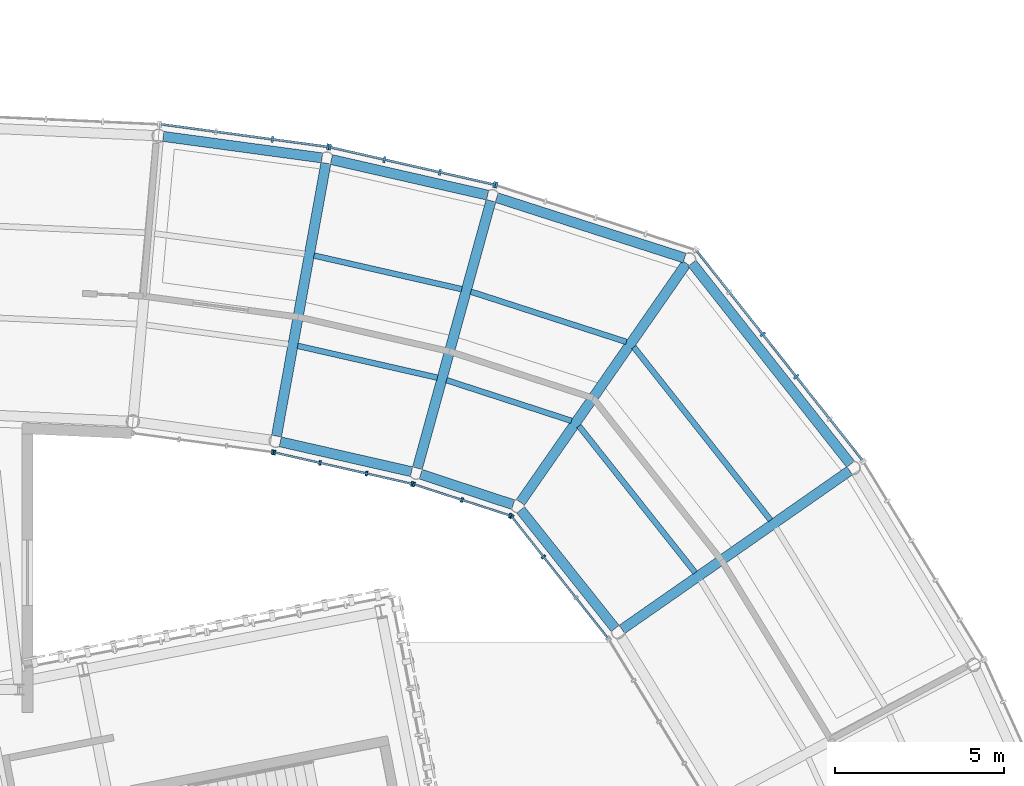
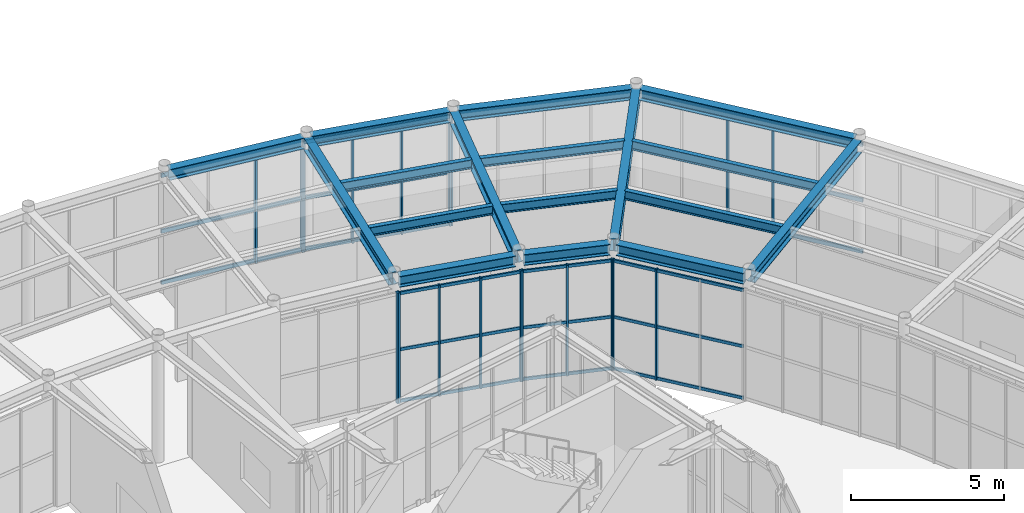
# One storey, part 48 of 97: 37 members, 17 beams, 8 elements without a shape of their own.
"""IFC4 building model written with IfcOpenShell, lengths in metres."""

from ifc_helpers import new_model, si_unit, direction, frame, origin, origin_2d, place, context, subcontext, project, spatial, rectangle, i_section, extrude, material, material_profile, profile_set, type_object, element, aggregate, save


model = new_model("IFC4")

# Units and contexts
model_context = context("Model", 3, precision=1e-05, world=origin(), true_north=direction((0.0, 1.0)))
body_context = subcontext(model_context, "Body", "Model", "MODEL_VIEW")
ifc_project = project(units=[si_unit("LENGTHUNIT", "METRE"), si_unit("AREAUNIT", "SQUARE_METRE"), si_unit("VOLUMEUNIT", "CUBIC_METRE"), si_unit("PLANEANGLEUNIT", "RADIAN"), si_unit("MASSUNIT", "GRAM", prefix="KILO")], contexts=[model_context])

# Site, building, storey
site_placement = place(None, origin())
site = spatial("IfcSite", under=ifc_project, at=site_placement, CompositionType="ELEMENT")
building_placement = place(site_placement, origin())
building = spatial("IfcBuilding", under=site, at=building_placement, Name="Varnklinge Art Gallery", CompositionType="ELEMENT")
storey_placement = place(building_placement, origin())
storey = spatial("IfcBuildingStorey", under=building, at=storey_placement, Name="L00", CompositionType="ELEMENT", Elevation=0.0)

# Beams
ifc_material_1 = material(Name="Steel S355", Category="steel")
ifc_material_profile_1 = material_profile(ifc_material_1, i_section(OverallWidth=0.300048828125, OverallDepth=0.489990234375, WebThickness=0.011962890625, FlangeThickness=0.02294921875, FilletRadius=0.027099609375, at=origin_2d()), Name="HEA 500")
ifc_profile_set_1 = profile_set([ifc_material_profile_1], Name="Steel S355")
beam_type_1 = type_object("IfcBeamType", Name="BM-07", PredefinedType="BEAM", material=ifc_profile_set_1)
beam_1_placement = place(storey_placement, frame((101.03515625, 87.0947265625, 4.635009765625), z_axis=(-0.820324852304, -0.571897837635, 0.0), x_axis=(0.571897837635, -0.820324852304, 0.0)))
element("IfcBeam", 1, at=beam_1_placement, inside=storey, type_object=beam_type_1, Name="L00 BM-07 BM-V2-L01-R12", PredefinedType="BEAM", context=body_context, shape_type="SweptSolid", body=[
    extrude(i_section(OverallWidth=0.300048828125, OverallDepth=0.489990234375, WebThickness=0.011962890625, FlangeThickness=0.02294921875, FilletRadius=0.027099609375, at=origin_2d()), origin(), (0.0, 0.0, 1.0), 8.2373046875),
])
beam_2_placement = place(storey_placement, frame((96.19091796875, 93.244873046875, 4.635009765625), z_axis=(-0.570588727281, -0.821235961402, 0.0), x_axis=(0.821235961402, -0.570588727281, 0.0)))
element("IfcBeam", 2, at=beam_2_placement, inside=storey, type_object=beam_type_1, Name="L00 BM-07 BM-V2-L01-R13", PredefinedType="BEAM", context=body_context, shape_type="SweptSolid", body=[
    extrude(i_section(OverallWidth=0.300048828125, OverallDepth=0.489990234375, WebThickness=0.011962890625, FlangeThickness=0.02294921875, FilletRadius=0.027099609375, at=origin_2d()), origin(), (0.0, 0.0, 1.0), 8.6318359375),
])
for number, where, z_axis, x_axis, name in (
    (3, (90.392578125, 95.102294921875, 4.635009765625), (-0.26537851046, -0.96414430776, 0.0), (0.96414430776, -0.26537851046, 0.0), "L00 BM-07 BM-V2-L01-R14"),
    (4, (85.495361328125, 96.21728515625, 4.635009765625), (-0.178151776958, -0.984003020507, 0.0), (0.984003020507, -0.178151776958, 0.0), "L00 BM-07 BM-V2-L01-R15"),
):
    element("IfcBeam", number, at=place(storey_placement, frame(where, z_axis=z_axis, x_axis=x_axis)), inside=storey, type_object=beam_type_1, Name=name, PredefinedType="BEAM", context=body_context, shape_type="SweptSolid", body=[
        extrude(i_section(OverallWidth=0.300048828125, OverallDepth=0.489990234375, WebThickness=0.011962890625, FlangeThickness=0.02294921875, FilletRadius=0.027099609375, at=origin_2d()), origin(), (0.0, 0.0, 1.0), 8.229248046875),
    ])
ifc_material_2 = material(Name="Steel S355", Category="steel")
ifc_material_profile_2 = material_profile(ifc_material_2, i_section(OverallWidth=0.169921875, OverallDepth=0.360107421875, WebThickness=0.008056640625, FlangeThickness=0.0126953125, FilletRadius=0.01806640625, at=origin_2d()), Name="IPE 360")
ifc_profile_set_2 = profile_set([ifc_material_profile_2], Name="Steel S355")
beam_type_2 = type_object("IfcBeamType", Name="JST-06", PredefinedType="JOIST", material=ifc_profile_set_2)
beam_3_placement = place(storey_placement, frame((98.6875, 85.62841796875, 4.699951171875), z_axis=(-0.620207823033, 0.784437541331, 0.0), x_axis=(-0.784437541331, -0.620207823033, 0.0)))
element("IfcBeam", 5, at=beam_3_placement, inside=storey, type_object=beam_type_2, Name="L00 JST-06 JST-V2-L01-12-1", PredefinedType="JOIST", context=body_context, shape_type="SweptSolid", body=[
    extrude(i_section(OverallWidth=0.169921875, OverallDepth=0.360107421875, WebThickness=0.008056640625, FlangeThickness=0.0126953125, FilletRadius=0.01806640625, at=origin_2d()), origin(), (0.0, 0.0, 1.0), 6.5439453125),
])
beam_4_placement = place(storey_placement, frame((96.45166015625, 84.069580078125, 4.699951171875), z_axis=(-0.621380748712, 0.783508752427, 0.0), x_axis=(-0.783508752427, -0.621380748712, 0.0)))
element("IfcBeam", 6, at=beam_4_placement, inside=storey, type_object=beam_type_2, Name="L00 JST-06 JST-V2-L01-12-2", PredefinedType="JOIST", context=body_context, shape_type="SweptSolid", body=[
    extrude(i_section(OverallWidth=0.169921875, OverallDepth=0.360107421875, WebThickness=0.008056640625, FlangeThickness=0.0126953125, FilletRadius=0.01806640625, at=origin_2d()), origin(), (0.0, 0.0, 1.0), 5.552001953125),
])
beam_5_placement = place(storey_placement, frame((94.40869140625, 90.914306640625, 4.699951171875), z_axis=(-0.951573262441, 0.307422065259, 0.0), x_axis=(-0.307422065259, -0.951573262441, 0.0)))
element("IfcBeam", 7, at=beam_5_placement, inside=storey, type_object=beam_type_2, Name="L00 JST-06 JST-V2-L01-13-1", PredefinedType="JOIST", context=body_context, shape_type="SweptSolid", body=[
    extrude(i_section(OverallWidth=0.169921875, OverallDepth=0.360107421875, WebThickness=0.008056640625, FlangeThickness=0.0126953125, FilletRadius=0.01806640625, at=origin_2d()), origin(), (0.0, 0.0, 1.0), 4.848388671875),
])
beam_6_placement = place(storey_placement, frame((92.781494140625, 88.57275390625, 4.699951171875), z_axis=(-0.950949393045, 0.309346491603, 0.0), x_axis=(-0.309346491603, -0.950949393045, 0.0)))
element("IfcBeam", 8, at=beam_6_placement, inside=storey, type_object=beam_type_2, Name="L00 JST-06 JST-V2-L01-13-2", PredefinedType="JOIST", context=body_context, shape_type="SweptSolid", body=[
    extrude(i_section(OverallWidth=0.169921875, OverallDepth=0.360107421875, WebThickness=0.008056640625, FlangeThickness=0.0126953125, FilletRadius=0.01806640625, at=origin_2d()), origin(), (0.0, 0.0, 1.0), 3.900390625),
])
beam_7_placement = place(storey_placement, frame((89.525390625, 92.47900390625, 4.699951171875), z_axis=(-0.975052249235, 0.22197547446, 0.0), x_axis=(-0.22197547446, -0.975052249235, 0.0)))
element("IfcBeam", 9, at=beam_7_placement, inside=storey, type_object=beam_type_2, Name="L00 JST-06 JST-V2-L01-14-1", PredefinedType="JOIST", context=body_context, shape_type="SweptSolid", body=[
    extrude(i_section(OverallWidth=0.169921875, OverallDepth=0.360107421875, WebThickness=0.008056640625, FlangeThickness=0.0126953125, FilletRadius=0.01806640625, at=origin_2d()), origin(), (0.0, 0.0, 1.0), 4.49609375),
])
beam_8_placement = place(storey_placement, frame((88.802734375, 89.853759765625, 4.699951171875), z_axis=(-0.975058358995, 0.221948634943, 0.0), x_axis=(-0.221948634943, -0.975058358995, 0.0)))
element("IfcBeam", 10, at=beam_8_placement, inside=storey, type_object=beam_type_2, Name="L00 JST-06 JST-V2-L01-14-2", PredefinedType="JOIST", context=body_context, shape_type="SweptSolid", body=[
    extrude(i_section(OverallWidth=0.169921875, OverallDepth=0.360107421875, WebThickness=0.008056640625, FlangeThickness=0.0126953125, FilletRadius=0.01806640625, at=origin_2d()), origin(), (0.0, 0.0, 1.0), 4.25244140625),
])

# Curtain wall, members
ifc_material_3 = material(Name="Anodised Aluminium", Category="aluminium")
curtain_wall_type_1 = type_object("IfcCurtainWallType", Name="CW-R01", PredefinedType="USERDEFINED", material=ifc_material_3)
curtain_wall_1_placement = place(storey_placement, origin())
curtain_wall_1 = element("IfcCurtainWall", 11, at=curtain_wall_1_placement, inside=storey, type_object=curtain_wall_type_1, Name="L00 Curtain Wall CW-V2O-L00-12", ObjectType="UNITISED CURTAIN WALL", PredefinedType="USERDEFINED")
ifc_material_4 = material(Name="Anodised Aluminium", Category="aluminium")
ifc_material_profile_3 = material_profile(ifc_material_4, rectangle(XDim=0.06494140625, YDim=0.179931640625, at=origin_2d()), Name="ALU 65x180")
ifc_profile_set_3 = profile_set([ifc_material_profile_3], Name="Anodised Aluminium")
member_type_1 = type_object("IfcMemberType", Name="MUL-01", PredefinedType="MULLION", material=ifc_profile_set_3)
member_1_placement = place(storey_placement, frame((99.450439453125, 89.8837890625, 0.0), z_axis=(0.0, 0.0, 1.0), x_axis=(-0.620737354217, 0.784018582101, 0.0)))
member_1 = element("IfcMember", 12, at=member_1_placement, type_object=member_type_1, Name="CW-V2O-L00-12 Mullion 3", PredefinedType="MULLION", context=body_context, shape_type="SweptSolid", body=[
    extrude(rectangle(XDim=0.06494140625, YDim=0.179931640625, at=origin_2d()), origin(), (0.0, 0.0, 1.0), 4.429931640625),
])
member_2_placement = place(storey_placement, frame((98.457275390625, 91.13818359375, 0.0), z_axis=(0.0, 0.0, 1.0), x_axis=(-0.620737354217, 0.784018582101, 0.0)))
member_2 = element("IfcMember", 13, at=member_2_placement, type_object=member_type_1, Name="CW-V2O-L00-12 Mullion 4", PredefinedType="MULLION", context=body_context, shape_type="SweptSolid", body=[
    extrude(rectangle(XDim=0.06494140625, YDim=0.179931640625, at=origin_2d()), origin(), (0.0, 0.0, 1.0), 4.429931640625),
])

# Curtain wall, member
curtain_wall_2_placement = place(storey_placement, origin())
curtain_wall_2 = element("IfcCurtainWall", 14, at=curtain_wall_2_placement, inside=storey, type_object=curtain_wall_type_1, Name="L00 Curtain Wall CW-V2O-L00-13", ObjectType="UNITISED CURTAIN WALL", PredefinedType="USERDEFINED")
member_3_placement = place(storey_placement, frame((90.553466796875, 95.564697265625, 0.0), z_axis=(0.0, 0.0, 1.0), x_axis=(-0.951272019071, 0.30835295642, 0.0)))
member_3 = element("IfcMember", 15, at=member_3_placement, type_object=member_type_1, Name="CW-V2O-L00-13 Mullion 5", PredefinedType="MULLION", context=body_context, shape_type="SweptSolid", body=[
    extrude(rectangle(XDim=0.06494140625, YDim=0.179931640625, at=origin_2d()), origin(), (0.0, 0.0, 1.0), 4.429931640625),
])
aggregate(curtain_wall_2, [member_3])

# Curtain wall, members
ifc_material_5 = material(Name="Anodised Aluminium", Category="aluminium")
curtain_wall_type_2 = type_object("IfcCurtainWallType", Name="CW-R03", PredefinedType="USERDEFINED", material=ifc_material_5)
curtain_wall_3_placement = place(storey_placement, origin())
curtain_wall_3 = element("IfcCurtainWall", 16, at=curtain_wall_3_placement, inside=storey, type_object=curtain_wall_type_2, Name="L00 Curtain Wall CW-V2O-L00-14", ObjectType="UNITISED CURTAIN WALL", PredefinedType="USERDEFINED")
member_4_placement = place(storey_placement, frame((90.490966796875, 95.58203125, 0.0), z_axis=(0.0, 0.0, 1.0), x_axis=(-0.975071959883, 0.221888875454, 0.0)))
member_4 = element("IfcMember", 17, at=member_4_placement, type_object=member_type_1, Name="CW-V2O-L00-14 Mullion 1", PredefinedType="MULLION", context=body_context, shape_type="SweptSolid", body=[
    extrude(rectangle(XDim=0.06494140625, YDim=0.179931640625, at=origin_2d()), origin(), (0.0, 0.0, 1.0), 4.429931640625),
])
member_5_placement = place(storey_placement, frame((88.8759765625, 95.94970703125, 0.0), z_axis=(0.0, 0.0, 1.0), x_axis=(-0.975071959883, 0.221888875454, 0.0)))
member_5 = element("IfcMember", 18, at=member_5_placement, type_object=member_type_1, Name="CW-V2O-L00-14 Mullion 2", PredefinedType="MULLION", context=body_context, shape_type="SweptSolid", body=[
    extrude(rectangle(XDim=0.06494140625, YDim=0.179931640625, at=origin_2d()), origin(), (0.0, 0.0, 1.0), 4.429931640625),
])
member_6_placement = place(storey_placement, frame((87.229248046875, 96.324462890625, 0.0), z_axis=(0.0, 0.0, 1.0), x_axis=(-0.975071959883, 0.221888875454, 0.0)))
member_6 = element("IfcMember", 19, at=member_6_placement, type_object=member_type_1, Name="CW-V2O-L00-14 Mullion 3", PredefinedType="MULLION", context=body_context, shape_type="SweptSolid", body=[
    extrude(rectangle(XDim=0.06494140625, YDim=0.179931640625, at=origin_2d()), origin(), (0.0, 0.0, 1.0), 4.429931640625),
])
member_7_placement = place(storey_placement, frame((85.6142578125, 96.692138671875, 0.0), z_axis=(0.0, 0.0, 1.0), x_axis=(-0.975071959883, 0.221888875454, 0.0)))
member_7 = element("IfcMember", 20, at=member_7_placement, type_object=member_type_1, Name="CW-V2O-L00-14 Mullion 4", PredefinedType="MULLION", context=body_context, shape_type="SweptSolid", body=[
    extrude(rectangle(XDim=0.06494140625, YDim=0.179931640625, at=origin_2d()), origin(), (0.0, 0.0, 1.0), 4.429931640625),
])

curtain_wall_4_placement = place(storey_placement, origin())
curtain_wall_4 = element("IfcCurtainWall", 21, at=curtain_wall_4_placement, inside=storey, type_object=curtain_wall_type_2, Name="L00 Curtain Wall CW-V2O-L00-15", ObjectType="UNITISED CURTAIN WALL", PredefinedType="USERDEFINED")
member_8_placement = place(storey_placement, frame((85.55029296875, 96.703857421875, 0.0), z_axis=(0.0, 0.0, 1.0), x_axis=(-0.990983199715, 0.133986185418, 0.0)))
member_8 = element("IfcMember", 22, at=member_8_placement, type_object=member_type_1, Name="CW-V2O-L00-15 Mullion 1", PredefinedType="MULLION", context=body_context, shape_type="SweptSolid", body=[
    extrude(rectangle(XDim=0.06494140625, YDim=0.179931640625, at=origin_2d()), origin(), (0.0, 0.0, 1.0), 4.429931640625),
])
member_9_placement = place(storey_placement, frame((83.908935546875, 96.925537109375, 0.0), z_axis=(0.0, 0.0, 1.0), x_axis=(-0.990983199715, 0.133986185418, 0.0)))
member_9 = element("IfcMember", 23, at=member_9_placement, type_object=member_type_1, Name="CW-V2O-L00-15 Mullion 2", PredefinedType="MULLION", context=body_context, shape_type="SweptSolid", body=[
    extrude(rectangle(XDim=0.06494140625, YDim=0.179931640625, at=origin_2d()), origin(), (0.0, 0.0, 1.0), 4.429931640625),
])

curtain_wall_5_placement = place(storey_placement, origin())
curtain_wall_5 = element("IfcCurtainWall", 24, at=curtain_wall_5_placement, inside=storey, type_object=curtain_wall_type_2, Name="L00 Curtain Wall CW-V2I-L00-12", ObjectType="UNITISED CURTAIN WALL", PredefinedType="USERDEFINED")
ifc_material_6 = material(Name="Anodised Aluminium", Category="aluminium")
ifc_material_profile_4 = material_profile(ifc_material_6, rectangle(XDim=0.06005859375, YDim=0.139892578125, at=origin_2d()), Name="ALU 60x140")
ifc_profile_set_4 = profile_set([ifc_material_profile_4], Name="Anodised Aluminium")
member_type_2 = type_object("IfcMemberType", Name="MUL-03", PredefinedType="MULLION", material=ifc_profile_set_4)
member_10_placement = place(storey_placement, frame((91.004638671875, 85.72998046875, 0.0), z_axis=(0.0, 0.0, 1.0), x_axis=(0.620737354217, -0.784018582101, 0.0)))
member_10 = element("IfcMember", 25, at=member_10_placement, type_object=member_type_2, Name="CW-V2I-L00-12 Mullion 1", PredefinedType="MULLION", context=body_context, shape_type="SweptSolid", body=[
    extrude(rectangle(XDim=0.06005859375, YDim=0.139892578125, at=origin_2d()), origin(), (0.0, 0.0, 1.0), 4.429931640625),
])
member_11_placement = place(storey_placement, frame((91.94921875, 84.536865234375, 0.0), z_axis=(0.0, 0.0, 1.0), x_axis=(0.620737354217, -0.784018582101, 0.0)))
member_11 = element("IfcMember", 26, at=member_11_placement, type_object=member_type_2, Name="CW-V2I-L00-12 Mullion 2", PredefinedType="MULLION", context=body_context, shape_type="SweptSolid", body=[
    extrude(rectangle(XDim=0.06005859375, YDim=0.139892578125, at=origin_2d()), origin(), (0.0, 0.0, 1.0), 4.429931640625),
])

curtain_wall_6_placement = place(storey_placement, origin())
curtain_wall_6 = element("IfcCurtainWall", 27, at=curtain_wall_6_placement, inside=storey, type_object=curtain_wall_type_2, Name="L00 Curtain Wall CW-V2I-L00-13", ObjectType="UNITISED CURTAIN WALL", PredefinedType="USERDEFINED")
member_12_placement = place(storey_placement, frame((88.107177734375, 86.6865234375, 0.0), z_axis=(0.0, 0.0, 1.0), x_axis=(0.951272019071, -0.30835295642, 0.0)))
member_12 = element("IfcMember", 28, at=member_12_placement, type_object=member_type_2, Name="CW-V2I-L00-13 Mullion 1", PredefinedType="MULLION", context=body_context, shape_type="SweptSolid", body=[
    extrude(rectangle(XDim=0.06005859375, YDim=0.139892578125, at=origin_2d()), origin(), (0.0, 0.0, 1.0), 4.429931640625),
])
member_13_placement = place(storey_placement, frame((89.5322265625, 86.224609375, 0.0), z_axis=(0.0, 0.0, 1.0), x_axis=(0.951272019071, -0.30835295642, 0.0)))
member_13 = element("IfcMember", 29, at=member_13_placement, type_object=member_type_2, Name="CW-V2I-L00-13 Mullion 2", PredefinedType="MULLION", context=body_context, shape_type="SweptSolid", body=[
    extrude(rectangle(XDim=0.06005859375, YDim=0.139892578125, at=origin_2d()), origin(), (0.0, 0.0, 1.0), 4.429931640625),
])
member_14_placement = place(storey_placement, frame((90.95751953125, 85.7626953125, 0.0), z_axis=(0.0, 0.0, 1.0), x_axis=(0.951272019071, -0.30835295642, 0.0)))
member_14 = element("IfcMember", 30, at=member_14_placement, type_object=member_type_2, Name="CW-V2I-L00-13 Mullion 3", PredefinedType="MULLION", context=body_context, shape_type="SweptSolid", body=[
    extrude(rectangle(XDim=0.06005859375, YDim=0.139892578125, at=origin_2d()), origin(), (0.0, 0.0, 1.0), 4.429931640625),
])

curtain_wall_7_placement = place(storey_placement, origin())
curtain_wall_7 = element("IfcCurtainWall", 31, at=curtain_wall_7_placement, inside=storey, type_object=curtain_wall_type_2, Name="L00 Curtain Wall CW-V2I-L00-14", ObjectType="UNITISED CURTAIN WALL", PredefinedType="USERDEFINED")
member_15_placement = place(storey_placement, frame((83.971435546875, 87.630615234375, 0.0), z_axis=(0.0, 0.0, 1.0), x_axis=(0.975071959883, -0.221888875454, 0.0)))
member_15 = element("IfcMember", 32, at=member_15_placement, type_object=member_type_2, Name="CW-V2I-L00-14 Mullion 1", PredefinedType="MULLION", context=body_context, shape_type="SweptSolid", body=[
    extrude(rectangle(XDim=0.06005859375, YDim=0.139892578125, at=origin_2d()), origin(), (0.0, 0.0, 1.0), 4.429931640625),
])
member_16_placement = place(storey_placement, frame((85.32080078125, 87.323486328125, 0.0), z_axis=(0.0, 0.0, 1.0), x_axis=(0.975071959883, -0.221888875454, 0.0)))
member_16 = element("IfcMember", 33, at=member_16_placement, type_object=member_type_2, Name="CW-V2I-L00-14 Mullion 2", PredefinedType="MULLION", context=body_context, shape_type="SweptSolid", body=[
    extrude(rectangle(XDim=0.06005859375, YDim=0.139892578125, at=origin_2d()), origin(), (0.0, 0.0, 1.0), 4.429931640625),
])
member_17_placement = place(storey_placement, frame((86.69970703125, 87.009765625, 0.0), z_axis=(0.0, 0.0, 1.0), x_axis=(0.975071959883, -0.221888875454, 0.0)))
member_17 = element("IfcMember", 34, at=member_17_placement, type_object=member_type_2, Name="CW-V2I-L00-14 Mullion 3", PredefinedType="MULLION", context=body_context, shape_type="SweptSolid", body=[
    extrude(rectangle(XDim=0.06005859375, YDim=0.139892578125, at=origin_2d()), origin(), (0.0, 0.0, 1.0), 4.429931640625),
])
member_18_placement = place(storey_placement, frame((88.04931640625, 86.702392578125, 0.0), z_axis=(0.0, 0.0, 1.0), x_axis=(0.975071959883, -0.221888875454, 0.0)))
member_18 = element("IfcMember", 35, at=member_18_placement, type_object=member_type_2, Name="CW-V2I-L00-14 Mullion 4", PredefinedType="MULLION", context=body_context, shape_type="SweptSolid", body=[
    extrude(rectangle(XDim=0.06005859375, YDim=0.139892578125, at=origin_2d()), origin(), (0.0, 0.0, 1.0), 4.429931640625),
])

# Curtain wall, member
curtain_wall_8_placement = place(storey_placement, origin())
curtain_wall_8 = element("IfcCurtainWall", 36, at=curtain_wall_8_placement, inside=storey, type_object=curtain_wall_type_2, Name="L00 Curtain Wall CW-V2I-L00-15", ObjectType="UNITISED CURTAIN WALL", PredefinedType="USERDEFINED")
member_19_placement = place(storey_placement, frame((83.912353515625, 87.641357421875, 0.0), z_axis=(0.0, 0.0, 1.0), x_axis=(0.990983199715, -0.133986185418, 0.0)))
member_19 = element("IfcMember", 37, at=member_19_placement, type_object=member_type_2, Name="CW-V2I-L00-15 Mullion 4", PredefinedType="MULLION", context=body_context, shape_type="SweptSolid", body=[
    extrude(rectangle(XDim=0.06005859375, YDim=0.139892578125, at=origin_2d()), origin(), (0.0, 0.0, 1.0), 4.429931640625),
])
aggregate(curtain_wall_8, [member_19])

# Beams
ifc_material_7 = material(Name="Steel S355", Category="steel")
ifc_material_profile_5 = material_profile(ifc_material_7, i_section(OverallWidth=0.300048828125, OverallDepth=0.43994140625, WebThickness=0.011474609375, FlangeThickness=0.02099609375, FilletRadius=0.027099609375, at=origin_2d()), Name="HEA 450")
ifc_profile_set_5 = profile_set([ifc_material_profile_5], Name="Steel S355")
beam_type_3 = type_object("IfcBeamType", Name="SPB-02", PredefinedType="SPANDREL", material=ifc_profile_set_5)
beam_9_placement = place(storey_placement, frame((101.063232421875, 87.28466796875, 4.659912109375), z_axis=(-0.619327516232, 0.785132745233, 0.0), x_axis=(-0.785132745233, -0.619327516232, 0.0)))
element("IfcBeam", 38, at=beam_9_placement, inside=storey, type_object=beam_type_3, Name="L00 SPB-02 BM-V2-L01-O12", PredefinedType="SPANDREL", context=body_context, shape_type="SweptSolid", body=[
    extrude(i_section(OverallWidth=0.300048828125, OverallDepth=0.43994140625, WebThickness=0.011474609375, FlangeThickness=0.02099609375, FilletRadius=0.027099609375, at=origin_2d()), origin(), (0.0, 0.0, 1.0), 7.597900390625),
])
beam_10_placement = place(storey_placement, frame((94.075927734375, 82.413330078125, 4.659912109375), z_axis=(-0.623138348458, 0.782111628018, 0.0), x_axis=(-0.782111628018, -0.623138348458, 0.0)))
element("IfcBeam", 39, at=beam_10_placement, inside=storey, type_object=beam_type_3, Name="L00 SPB-02 BM-V2-L01-I12", PredefinedType="SPANDREL", context=body_context, shape_type="SweptSolid", body=[
    extrude(i_section(OverallWidth=0.300048828125, OverallDepth=0.43994140625, WebThickness=0.011474609375, FlangeThickness=0.02099609375, FilletRadius=0.027099609375, at=origin_2d()), origin(), (0.0, 0.0, 1.0), 4.498046875),
])
beam_11_placement = place(storey_placement, frame((96.1376953125, 93.402587890625, 4.659912109375), z_axis=(-0.952022487869, 0.306028074843, 0.0), x_axis=(-0.306028074843, -0.952022487869, 0.0)))
element("IfcBeam", 40, at=beam_11_placement, inside=storey, type_object=beam_type_3, Name="L00 SPB-02 BM-V2-L01-O13", PredefinedType="SPANDREL", context=body_context, shape_type="SweptSolid", body=[
    extrude(i_section(OverallWidth=0.300048828125, OverallDepth=0.43994140625, WebThickness=0.011474609375, FlangeThickness=0.02099609375, FilletRadius=0.027099609375, at=origin_2d()), origin(), (0.0, 0.0, 1.0), 5.855712890625),
])
beam_12_placement = place(storey_placement, frame((91.052734375, 86.084716796875, 4.659912109375), z_axis=(-0.94984963517, 0.312707004347, 0.0), x_axis=(-0.312707004347, -0.94984963517, 0.0)))
element("IfcBeam", 41, at=beam_12_placement, inside=storey, type_object=beam_type_3, Name="L00 SPB-02 BM-V2-L01-I13", PredefinedType="SPANDREL", context=body_context, shape_type="SweptSolid", body=[
    extrude(i_section(OverallWidth=0.300048828125, OverallDepth=0.43994140625, WebThickness=0.011474609375, FlangeThickness=0.02099609375, FilletRadius=0.027099609375, at=origin_2d()), origin(), (0.0, 0.0, 1.0), 2.893310546875),
])
beam_13_placement = place(storey_placement, frame((90.293212890625, 95.2685546875, 4.659912109375), z_axis=(-0.975056640979, 0.221956182347, 0.0), x_axis=(-0.221956182347, -0.975056640979, 0.0)))
element("IfcBeam", 42, at=beam_13_placement, inside=storey, type_object=beam_type_3, Name="L00 SPB-02 BM-V2-L01-O14", PredefinedType="SPANDREL", context=body_context, shape_type="SweptSolid", body=[
    extrude(i_section(OverallWidth=0.300048828125, OverallDepth=0.43994140625, WebThickness=0.011474609375, FlangeThickness=0.02099609375, FilletRadius=0.027099609375, at=origin_2d()), origin(), (0.0, 0.0, 1.0), 4.755126953125),
])
beam_14_placement = place(storey_placement, frame((88.034912109375, 87.064208984375, 4.659912109375), z_axis=(-0.975053526144, 0.221969865419, 0.0), x_axis=(-0.221969865419, -0.975053526144, 0.0)))
element("IfcBeam", 43, at=beam_14_placement, inside=storey, type_object=beam_type_3, Name="L00 SPB-02 BM-V2-L01-I14", PredefinedType="SPANDREL", context=body_context, shape_type="SweptSolid", body=[
    extrude(i_section(OverallWidth=0.300048828125, OverallDepth=0.43994140625, WebThickness=0.011474609375, FlangeThickness=0.02099609375, FilletRadius=0.027099609375, at=origin_2d()), origin(), (0.0, 0.0, 1.0), 3.99365234375),
])
beam_15_placement = place(storey_placement, frame((85.381591796875, 96.373779296875, 4.659912109375), z_axis=(-0.990995928782, 0.133892005505, 0.0), x_axis=(-0.133892005505, -0.990995928782, 0.0)))
element("IfcBeam", 44, at=beam_15_placement, inside=storey, type_object=beam_type_3, Name="L00 SPB-02 BM-V2-L01-O15", PredefinedType="SPANDREL", context=body_context, shape_type="SweptSolid", body=[
    extrude(i_section(OverallWidth=0.300048828125, OverallDepth=0.43994140625, WebThickness=0.011474609375, FlangeThickness=0.02099609375, FilletRadius=0.027099609375, at=origin_2d()), origin(), (0.0, 0.0, 1.0), 4.75537109375),
])

# Member
ifc_material_8 = material(Name="Anodised Aluminium", Category="aluminium")
ifc_material_profile_6 = material_profile(ifc_material_8, rectangle(XDim=0.06494140625, YDim=0.14990234375, at=origin_2d()), Name="ALU 65x150")
ifc_profile_set_6 = profile_set([ifc_material_profile_6], Name="Anodised Aluminium")
member_type_3 = type_object("IfcMemberType", Name="TRN-01", PredefinedType="USERDEFINED", material=ifc_profile_set_6)
member_20_placement = place(storey_placement, frame((101.416748046875, 87.400390625, 0.074951171875), z_axis=(-0.620773865462, 0.783989673376, 0.0), x_axis=(-0.783989673376, -0.620773865462, 0.0)))
member_20 = element("IfcMember", 45, at=member_20_placement, type_object=member_type_3, Name="CW-V2O-L00-12 Transom 1", ObjectType="TRANSOM", PredefinedType="USERDEFINED", context=body_context, shape_type="SweptSolid", body=[
    extrude(rectangle(XDim=0.06494140625, YDim=0.14990234375, at=origin_2d()), origin(), (0.0, 0.0, 1.0), 7.935302734375),
])

member_21_placement = place(storey_placement, frame((101.416748046875, 87.400390625, 2.12646484375), z_axis=(-0.620773865462, 0.783989673376, 0.0), x_axis=(-0.783989673376, -0.620773865462, 0.0)))
member_21 = element("IfcMember", 46, at=member_21_placement, type_object=member_type_3, Name="CW-V2O-L00-12 Transom 2", ObjectType="TRANSOM", PredefinedType="USERDEFINED", context=body_context, shape_type="SweptSolid", body=[
    extrude(rectangle(XDim=0.06494140625, YDim=0.14990234375, at=origin_2d()), origin(), (0.0, 0.0, 1.0), 7.935302734375),
])

member_22_placement = place(storey_placement, frame((101.416748046875, 87.400390625, 4.35498046875), z_axis=(-0.620773865462, 0.783989673376, 0.0), x_axis=(-0.783989673376, -0.620773865462, 0.0)))
member_22 = element("IfcMember", 47, at=member_22_placement, type_object=member_type_3, Name="CW-V2O-L00-12 Transom 3", ObjectType="TRANSOM", PredefinedType="USERDEFINED", context=body_context, shape_type="SweptSolid", body=[
    extrude(rectangle(XDim=0.06494140625, YDim=0.14990234375, at=origin_2d()), origin(), (0.0, 0.0, 1.0), 7.935302734375),
])

aggregate(curtain_wall_1, [member_1, member_2, member_20, member_21, member_22])

member_23_placement = place(storey_placement, frame((90.490966796875, 95.58203125, 0.074951171875), z_axis=(-0.975056556425, 0.221956553795, 0.0), x_axis=(-0.221956553795, -0.975056556425, 0.0)))
member_23 = element("IfcMember", 48, at=member_23_placement, type_object=member_type_3, Name="CW-V2O-L00-14 Transom 1", ObjectType="TRANSOM", PredefinedType="USERDEFINED", context=body_context, shape_type="SweptSolid", body=[
    extrude(rectangle(XDim=0.06494140625, YDim=0.14990234375, at=origin_2d()), origin(), (0.0, 0.0, 1.0), 5.00146484375),
])

member_24_placement = place(storey_placement, frame((90.490966796875, 95.58203125, 2.12646484375), z_axis=(-0.975056556425, 0.221956553795, 0.0), x_axis=(-0.221956553795, -0.975056556425, 0.0)))
member_24 = element("IfcMember", 49, at=member_24_placement, type_object=member_type_3, Name="CW-V2O-L00-14 Transom 2", ObjectType="TRANSOM", PredefinedType="USERDEFINED", context=body_context, shape_type="SweptSolid", body=[
    extrude(rectangle(XDim=0.06494140625, YDim=0.14990234375, at=origin_2d()), origin(), (0.0, 0.0, 1.0), 5.00146484375),
])

member_25_placement = place(storey_placement, frame((90.490966796875, 95.58203125, 4.35498046875), z_axis=(-0.975056556425, 0.221956553795, 0.0), x_axis=(-0.221956553795, -0.975056556425, 0.0)))
member_25 = element("IfcMember", 50, at=member_25_placement, type_object=member_type_3, Name="CW-V2O-L00-14 Transom 3", ObjectType="TRANSOM", PredefinedType="USERDEFINED", context=body_context, shape_type="SweptSolid", body=[
    extrude(rectangle(XDim=0.06494140625, YDim=0.14990234375, at=origin_2d()), origin(), (0.0, 0.0, 1.0), 5.00146484375),
])

aggregate(curtain_wall_3, [member_4, member_5, member_6, member_7, member_23, member_24, member_25])

member_26_placement = place(storey_placement, frame((85.55029296875, 96.703857421875, 0.074951171875), z_axis=(-0.990995756653, 0.133893279504, 0.0), x_axis=(-0.133893279504, -0.990995756653, 0.0)))
member_26 = element("IfcMember", 51, at=member_26_placement, type_object=member_type_3, Name="CW-V2O-L00-15 Transom 1", ObjectType="TRANSOM", PredefinedType="USERDEFINED", context=body_context, shape_type="SweptSolid", body=[
    extrude(rectangle(XDim=0.06494140625, YDim=0.14990234375, at=origin_2d()), origin(), (0.0, 0.0, 1.0), 5.00146484375),
])

member_27_placement = place(storey_placement, frame((85.55029296875, 96.703857421875, 2.12646484375), z_axis=(-0.990995756653, 0.133893279504, 0.0), x_axis=(-0.133893279504, -0.990995756653, 0.0)))
member_27 = element("IfcMember", 52, at=member_27_placement, type_object=member_type_3, Name="CW-V2O-L00-15 Transom 2", ObjectType="TRANSOM", PredefinedType="USERDEFINED", context=body_context, shape_type="SweptSolid", body=[
    extrude(rectangle(XDim=0.06494140625, YDim=0.14990234375, at=origin_2d()), origin(), (0.0, 0.0, 1.0), 5.00146484375),
])

member_28_placement = place(storey_placement, frame((85.55029296875, 96.703857421875, 4.35498046875), z_axis=(-0.990995756653, 0.133893279504, 0.0), x_axis=(-0.133893279504, -0.990995756653, 0.0)))
member_28 = element("IfcMember", 53, at=member_28_placement, type_object=member_type_3, Name="CW-V2O-L00-15 Transom 3", ObjectType="TRANSOM", PredefinedType="USERDEFINED", context=body_context, shape_type="SweptSolid", body=[
    extrude(rectangle(XDim=0.06494140625, YDim=0.14990234375, at=origin_2d()), origin(), (0.0, 0.0, 1.0), 5.00146484375),
])

aggregate(curtain_wall_4, [member_8, member_9, member_26, member_27, member_28])

ifc_material_9 = material(Name="Anodised Aluminium", Category="aluminium")
ifc_material_profile_7 = material_profile(ifc_material_9, rectangle(XDim=0.06005859375, YDim=0.1201171875, at=origin_2d()), Name="ALU 60x120")
ifc_profile_set_7 = profile_set([ifc_material_profile_7], Name="Anodised Aluminium")
member_type_4 = type_object("IfcMemberType", Name="TRN-02", PredefinedType="USERDEFINED", material=ifc_profile_set_7)
member_29_placement = place(storey_placement, frame((91.004638671875, 85.72998046875, 0.06005859375), z_axis=(0.620780504553, -0.783984416405, 0.0), x_axis=(0.783984416405, 0.620780504553, 0.0)))
member_29 = element("IfcMember", 54, at=member_29_placement, type_object=member_type_4, Name="CW-V2I-L00-12 Transom 1", ObjectType="TRANSOM", PredefinedType="USERDEFINED", context=body_context, shape_type="SweptSolid", body=[
    extrude(rectangle(XDim=0.06005859375, YDim=0.1201171875, at=origin_2d()), origin(), (0.0, 0.0, 1.0), 4.595458984375),
])

member_30_placement = place(storey_placement, frame((91.004638671875, 85.72998046875, 2.12646484375), z_axis=(0.620780504553, -0.783984416405, 0.0), x_axis=(0.783984416405, 0.620780504553, 0.0)))
member_30 = element("IfcMember", 55, at=member_30_placement, type_object=member_type_4, Name="CW-V2I-L00-12 Transom 2", ObjectType="TRANSOM", PredefinedType="USERDEFINED", context=body_context, shape_type="SweptSolid", body=[
    extrude(rectangle(XDim=0.06005859375, YDim=0.1201171875, at=origin_2d()), origin(), (0.0, 0.0, 1.0), 4.595458984375),
])

member_31_placement = place(storey_placement, frame((91.004638671875, 85.72998046875, 4.3701171875), z_axis=(0.620780504553, -0.783984416405, 0.0), x_axis=(0.783984416405, 0.620780504553, 0.0)))
member_31 = element("IfcMember", 56, at=member_31_placement, type_object=member_type_4, Name="CW-V2I-L00-12 Transom 3", ObjectType="TRANSOM", PredefinedType="USERDEFINED", context=body_context, shape_type="SweptSolid", body=[
    extrude(rectangle(XDim=0.06005859375, YDim=0.1201171875, at=origin_2d()), origin(), (0.0, 0.0, 1.0), 4.595458984375),
])

aggregate(curtain_wall_5, [member_10, member_11, member_29, member_30, member_31])

member_32_placement = place(storey_placement, frame((88.107177734375, 86.6865234375, 0.06005859375), z_axis=(0.9512822555, -0.308321375144, 0.0), x_axis=(0.308321375144, 0.9512822555, 0.0)))
member_32 = element("IfcMember", 57, at=member_32_placement, type_object=member_type_4, Name="CW-V2I-L00-13 Transom 1", ObjectType="TRANSOM", PredefinedType="USERDEFINED", context=body_context, shape_type="SweptSolid", body=[
    extrude(rectangle(XDim=0.06005859375, YDim=0.1201171875, at=origin_2d()), origin(), (0.0, 0.0, 1.0), 2.996337890625),
])

member_33_placement = place(storey_placement, frame((88.107177734375, 86.6865234375, 2.12646484375), z_axis=(0.9512822555, -0.308321375144, 0.0), x_axis=(0.308321375144, 0.9512822555, 0.0)))
member_33 = element("IfcMember", 58, at=member_33_placement, type_object=member_type_4, Name="CW-V2I-L00-13 Transom 2", ObjectType="TRANSOM", PredefinedType="USERDEFINED", context=body_context, shape_type="SweptSolid", body=[
    extrude(rectangle(XDim=0.06005859375, YDim=0.1201171875, at=origin_2d()), origin(), (0.0, 0.0, 1.0), 2.996337890625),
])

member_34_placement = place(storey_placement, frame((88.107177734375, 86.6865234375, 4.3701171875), z_axis=(0.9512822555, -0.308321375144, 0.0), x_axis=(0.308321375144, 0.9512822555, 0.0)))
member_34 = element("IfcMember", 59, at=member_34_placement, type_object=member_type_4, Name="CW-V2I-L00-13 Transom 3", ObjectType="TRANSOM", PredefinedType="USERDEFINED", context=body_context, shape_type="SweptSolid", body=[
    extrude(rectangle(XDim=0.06005859375, YDim=0.1201171875, at=origin_2d()), origin(), (0.0, 0.0, 1.0), 2.996337890625),
])

aggregate(curtain_wall_6, [member_12, member_13, member_14, member_32, member_33, member_34])

member_35_placement = place(storey_placement, frame((83.971435546875, 87.630615234375, 0.06005859375), z_axis=(0.975058827612, -0.221946576219, 0.0), x_axis=(0.221946576219, 0.975058827612, 0.0)))
member_35 = element("IfcMember", 60, at=member_35_placement, type_object=member_type_4, Name="CW-V2I-L00-14 Transom 1", ObjectType="TRANSOM", PredefinedType="USERDEFINED", context=body_context, shape_type="SweptSolid", body=[
    extrude(rectangle(XDim=0.06005859375, YDim=0.1201171875, at=origin_2d()), origin(), (0.0, 0.0, 1.0), 4.18212890625),
])

member_36_placement = place(storey_placement, frame((83.971435546875, 87.630615234375, 2.12646484375), z_axis=(0.975058827612, -0.221946576219, 0.0), x_axis=(0.221946576219, 0.975058827612, 0.0)))
member_36 = element("IfcMember", 61, at=member_36_placement, type_object=member_type_4, Name="CW-V2I-L00-14 Transom 2", ObjectType="TRANSOM", PredefinedType="USERDEFINED", context=body_context, shape_type="SweptSolid", body=[
    extrude(rectangle(XDim=0.06005859375, YDim=0.1201171875, at=origin_2d()), origin(), (0.0, 0.0, 1.0), 4.18212890625),
])

member_37_placement = place(storey_placement, frame((83.971435546875, 87.630615234375, 4.3701171875), z_axis=(0.975058827612, -0.221946576219, 0.0), x_axis=(0.221946576219, 0.975058827612, 0.0)))
member_37 = element("IfcMember", 62, at=member_37_placement, type_object=member_type_4, Name="CW-V2I-L00-14 Transom 3", ObjectType="TRANSOM", PredefinedType="USERDEFINED", context=body_context, shape_type="SweptSolid", body=[
    extrude(rectangle(XDim=0.06005859375, YDim=0.1201171875, at=origin_2d()), origin(), (0.0, 0.0, 1.0), 4.18212890625),
])

aggregate(curtain_wall_7, [member_15, member_16, member_17, member_18, member_35, member_36, member_37])

save(model, "model.ifc")
